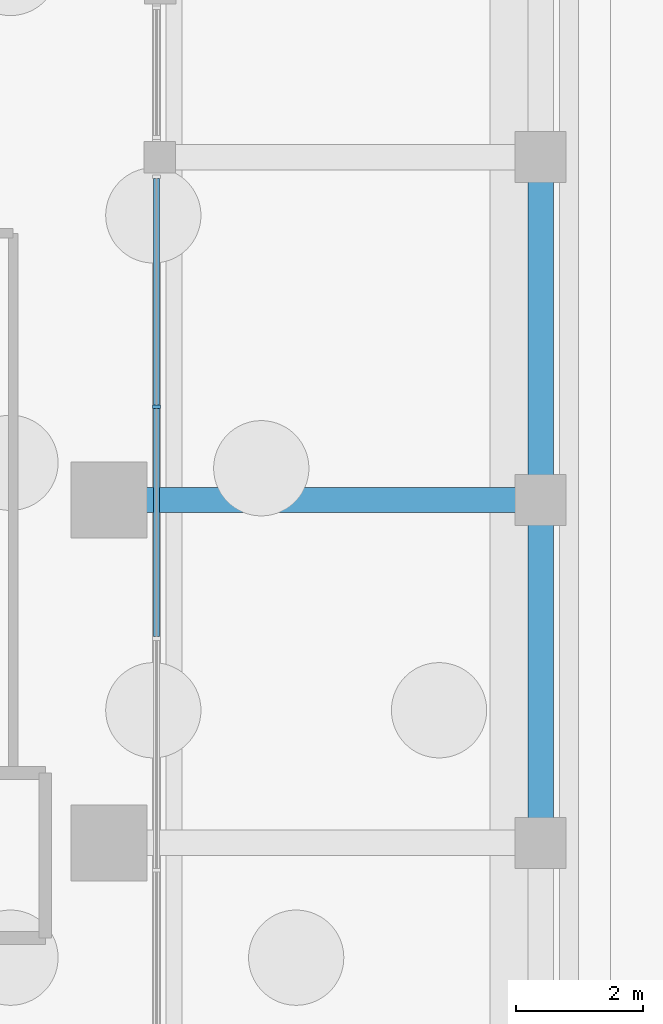
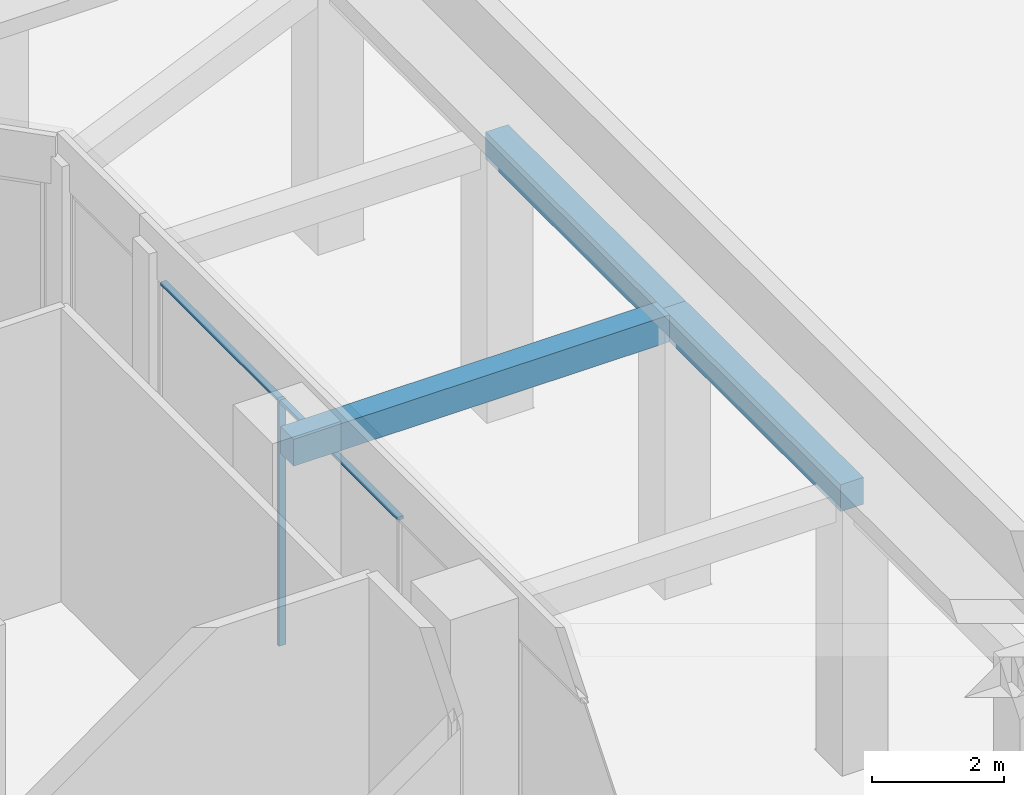
# One storey, part 30 of 46: 3 beams, 3 members, 1 element without a shape of its own.
"""IFC4 building model written with IfcOpenShell, lengths in metres."""

from ifc_helpers import new_model, si_unit, direction, frame, origin, origin_2d, place, context, subcontext, project, spatial, rectangle, extrude, material, material_profile, profile_set, type_object, element, aggregate, save


model = new_model("IFC4")

# Units and contexts
model_context = context("Model", 3, precision=1e-05, world=origin(), true_north=direction((0.0, 1.0)))
body_context = subcontext(model_context, "Body", "Model", "MODEL_VIEW")
ifc_project = project(units=[si_unit("LENGTHUNIT", "METRE"), si_unit("AREAUNIT", "SQUARE_METRE"), si_unit("VOLUMEUNIT", "CUBIC_METRE"), si_unit("PLANEANGLEUNIT", "RADIAN"), si_unit("MASSUNIT", "GRAM", prefix="KILO")], contexts=[model_context])

# Site, building, storey
site_placement = place(None, origin())
site = spatial("IfcSite", under=ifc_project, at=site_placement, CompositionType="ELEMENT")
building_placement = place(site_placement, origin())
building = spatial("IfcBuilding", under=site, at=building_placement, Name="Mangrove Gate Tower", CompositionType="ELEMENT")
storey_placement = place(building_placement, origin())
storey = spatial("IfcBuildingStorey", under=building, at=storey_placement, Name="L00", CompositionType="ELEMENT", Elevation=0.0)

# Beams
ifc_material_1 = material(Name="Concrete C70/85", Category="concrete")
ifc_material_profile_1 = material_profile(ifc_material_1, rectangle(XDim=0.39990234375, YDim=0.5, at=origin_2d()))
ifc_profile_set_1 = profile_set([ifc_material_profile_1], Name="Concrete C70/85")
beam_type = type_object("IfcBeamType", Name="Canopy beam RC 400x500 C70/85", PredefinedType="BEAM", material=ifc_profile_set_1)
beam_1_placement = place(storey_placement, frame((42.10009765625, 13.5, 4.830078125), z_axis=(0.0, 1.0, 0.0), x_axis=(-1.0, 0.0, 0.0)))
element("IfcBeam", 1, at=beam_1_placement, inside=storey, type_object=beam_type, Name="Canopy beam L00 CEE03", PredefinedType="BEAM", context=body_context, shape_type="SweptSolid", body=[
    extrude(rectangle(XDim=0.39990234375, YDim=0.5, at=origin_2d()), origin(), (0.0, 0.0, 1.0), 5.39990234375),
])
beam_2_placement = place(storey_placement, frame((42.10009765625, 18.89990234375, 4.830078125), z_axis=(0.0, 1.0, 0.0), x_axis=(-1.0, 0.0, 0.0)))
element("IfcBeam", 2, at=beam_2_placement, inside=storey, type_object=beam_type, Name="Canopy beam L00 CEE04", PredefinedType="BEAM", context=body_context, shape_type="SweptSolid", body=[
    extrude(rectangle(XDim=0.39990234375, YDim=0.5, at=origin_2d()), origin(), (0.0, 0.0, 1.0), 5.400146484375),
])
beam_3_placement = place(storey_placement, frame((35.300048828125, 18.89990234375, 4.830078125), z_axis=(1.0, 0.0, 0.0), x_axis=(0.0, 1.0, 0.0)))
element("IfcBeam", 3, at=beam_3_placement, inside=storey, type_object=beam_type, Name="Canopy beam L00 CBE04", PredefinedType="BEAM", context=body_context, shape_type="SweptSolid", body=[
    extrude(rectangle(XDim=0.39990234375, YDim=0.5, at=origin_2d()), origin(), (0.0, 0.0, 1.0), 6.800048828125),
])

# Curtain wall, members
ifc_material_2 = material(Name="Aluminium and glass curtain wall", Category="aluminium")
curtain_wall_type = type_object("IfcCurtainWallType", Name="Podium shopfront glazing wall", PredefinedType="NOTDEFINED", material=ifc_material_2)
curtain_wall_placement = place(storey_placement, origin())
curtain_wall = element("IfcCurtainWall", 4, at=curtain_wall_placement, inside=storey, type_object=curtain_wall_type, Name="Podium shopfront glazing E10s1", PredefinedType="NOTDEFINED")
ifc_material_3 = material(Name="Aluminium alloy 6063-T6", Category="aluminium")
ifc_material_profile_2 = material_profile(ifc_material_3, rectangle(XDim=0.06005859375, YDim=0.1201171875, at=origin_2d()))
ifc_profile_set_2 = profile_set([ifc_material_profile_2], Name="Aluminium alloy 6063-T6")
member_type_1 = type_object("IfcMemberType", Name="Podium shopfront glazing mullion 60x120", PredefinedType="MULLION", material=ifc_profile_set_2)
member_1_placement = place(storey_placement, frame((36.050048828125, 20.369384765625, 0.0), z_axis=(0.0, 0.0, 1.0), x_axis=(0.0, 1.0, 0.0)))
member_1 = element("IfcMember", 5, at=member_1_placement, type_object=member_type_1, Name="CWS mullion 8", PredefinedType="MULLION", context=body_context, shape_type="SweptSolid", body=[
    extrude(rectangle(XDim=0.06005859375, YDim=0.1201171875, at=origin_2d()), origin(), (0.0, 0.0, 1.0), 4.570068359375),
])
ifc_material_4 = material(Name="Aluminium alloy 6063-T6", Category="aluminium")
ifc_material_profile_3 = material_profile(ifc_material_4, rectangle(XDim=0.06005859375, YDim=0.10009765625, at=origin_2d()))
ifc_profile_set_3 = profile_set([ifc_material_profile_3], Name="Aluminium alloy 6063-T6")
member_type_2 = type_object("IfcMemberType", Name="Podium shopfront glazing transom 60x100", PredefinedType="USERDEFINED", material=ifc_profile_set_3)
member_2_placement = place(storey_placement, frame((36.050048828125, 16.748779296875, 4.5400390625), z_axis=(0.0, 1.0, 0.0), x_axis=(0.0, 0.0, 1.0)))
member_2 = element("IfcMember", 6, at=member_2_placement, type_object=member_type_2, Name="CWS transom 7.2", ObjectType="TRANSOM", PredefinedType="USERDEFINED", context=body_context, shape_type="SweptSolid", body=[
    extrude(rectangle(XDim=0.06005859375, YDim=0.10009765625, at=origin_2d()), origin(), (0.0, 0.0, 1.0), 3.590576171875),
])
member_3_placement = place(storey_placement, frame((36.050048828125, 20.3994140625, 4.5400390625), z_axis=(0.0, 1.0, 0.0), x_axis=(0.0, 0.0, 1.0)))
member_3 = element("IfcMember", 7, at=member_3_placement, type_object=member_type_2, Name="CWS transom 8.2", ObjectType="TRANSOM", PredefinedType="USERDEFINED", context=body_context, shape_type="SweptSolid", body=[
    extrude(rectangle(XDim=0.06005859375, YDim=0.10009765625, at=origin_2d()), origin(), (0.0, 0.0, 1.0), 3.560546875),
])
aggregate(curtain_wall, [member_1, member_2, member_3])

save(model, "model.ifc")
